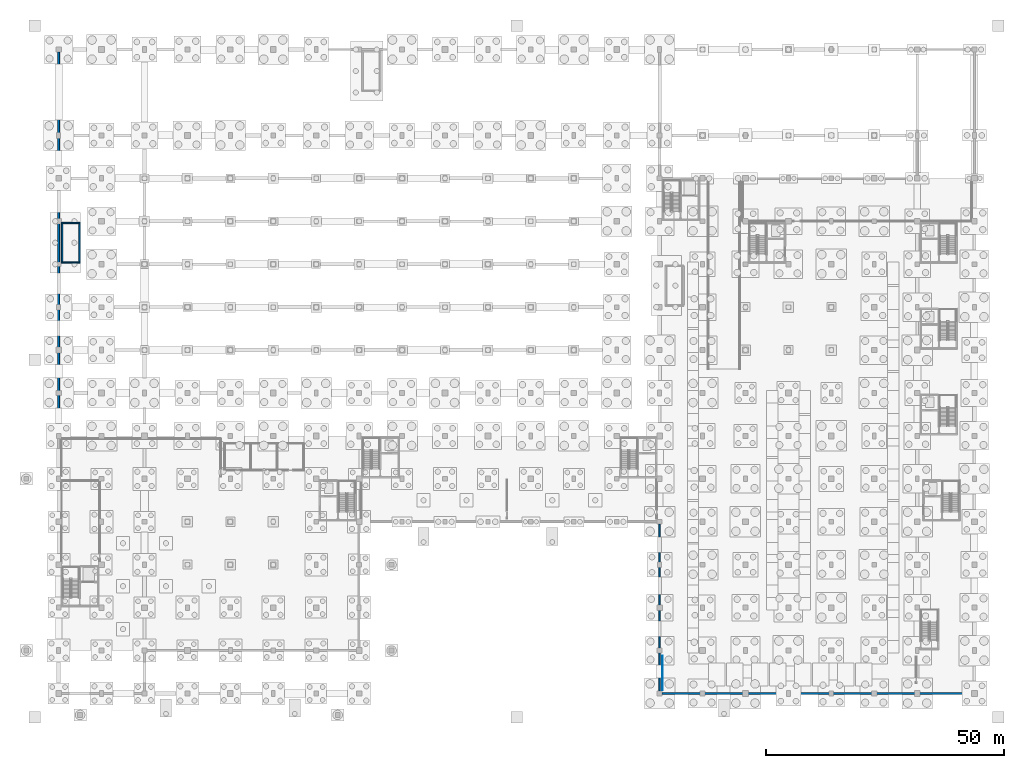
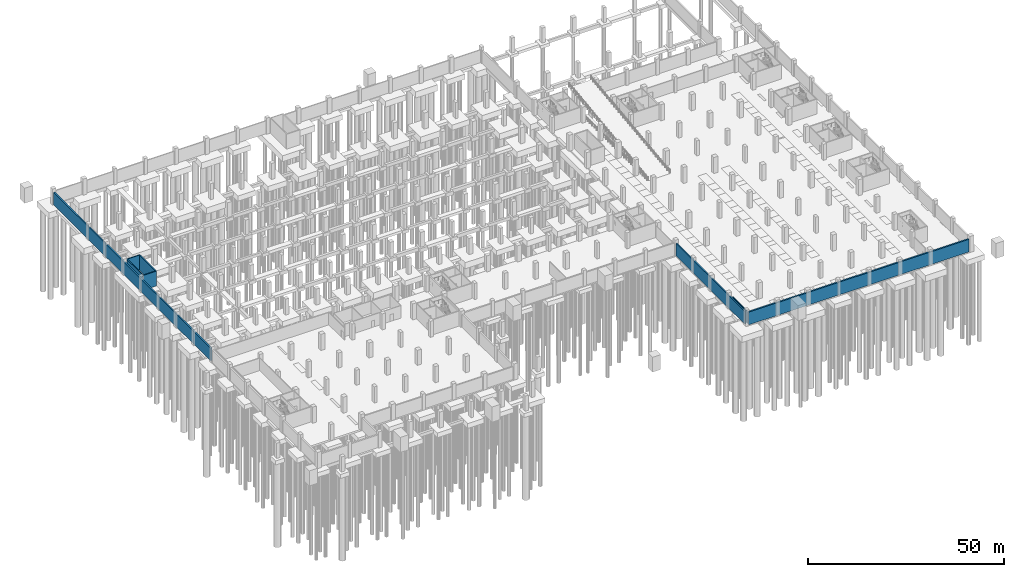
# One storey, part 18 of 37: 8 walls.
"""IFC4 building model written with IfcOpenShell, lengths in metres."""

from ifc_helpers import new_model, si_unit, direction, frame, frame_2d, origin, place, context, subcontext, project, spatial, rectangle, extrude, material, layer, layer_set, type_object, element, save


model = new_model("IFC4")

# Units and contexts
model_context = context("Model", 3, precision=1e-05, world=origin(), true_north=direction((0.0, 1.0)))
body_context = subcontext(model_context, "Body", "Model", "MODEL_VIEW")
ifc_project = project(units=[si_unit("LENGTHUNIT", "METRE"), si_unit("AREAUNIT", "SQUARE_METRE"), si_unit("VOLUMEUNIT", "CUBIC_METRE"), si_unit("PLANEANGLEUNIT", "RADIAN"), si_unit("MASSUNIT", "GRAM", prefix="KILO")], contexts=[model_context])

# Site, building, storey
site_placement = place(None, origin())
site = spatial("IfcSite", under=ifc_project, at=site_placement, CompositionType="ELEMENT")
building_placement = place(site_placement, origin())
building = spatial("IfcBuilding", under=site, at=building_placement, Name="Barlavento Convention Centre", CompositionType="ELEMENT")
storey_placement = place(building_placement, frame((0.0, 0.0, -5.0)))
storey = spatial("IfcBuildingStorey", under=building, at=storey_placement, Name="B1", CompositionType="ELEMENT", Elevation=-5.0)

# Walls
ifc_material_1 = material(Name="Concrete C40/50", Category="concrete")
ifc_layer_1 = layer(ifc_material_1, 0.199951171875)
ifc_layer_set_1 = layer_set([ifc_layer_1], Name="ARC-WL-FIRE-200")
wall_type_1 = type_object("IfcWallType", Name="ARC-WL-FIRE-200", PredefinedType="SOLIDWALL", material=ifc_layer_set_1)
wall_1_placement = place(storey_placement, frame((126.60009765625, 0.719970703125, 0.0), z_axis=(0.0, 0.0, 1.0), x_axis=(0.0, 1.0, 0.0)))
element("IfcWall", 1, at=wall_1_placement, inside=storey, type_object=wall_type_1, Name="B1 interior wall FW-01", PredefinedType="SOLIDWALL", context=body_context, shape_type="SweptSolid", body=[
    extrude(rectangle(XDim=7.159912109375, YDim=0.199951171875, at=frame_2d((3.580078125, 0.0))), origin(), (0.0, 0.0, 1.0), 3.85009765625),
])
ifc_material_2 = material(Name="Concrete C50/60", Category="concrete")
ifc_layer_2 = layer(ifc_material_2, 0.25)
ifc_layer_set_2 = layer_set([ifc_layer_2], Name="STR-WL-CORE-250")
wall_type_2 = type_object("IfcWallType", Name="STR-WL-CORE-250", PredefinedType="SHEAR", material=ifc_layer_set_2)
for number, where, z_axis, x_axis, name in (
    (2, (0.60009765625, 90.344970703125, 0.0), (0.0, 0.0, 1.0), (1.0, 0.0, 0.0), "B1 interior wall CW-02"),
    (3, (0.60009765625, 98.655029296875, 0.0), (0.0, 0.0, 1.0), (1.0, 0.0, 0.0), "B1 interior wall CW-02"),
):
    element("IfcWall", number, at=place(storey_placement, frame(where, z_axis=z_axis, x_axis=x_axis)), inside=storey, type_object=wall_type_2, Name=name, PredefinedType="SHEAR", context=body_context, shape_type="SweptSolid", body=[
        extrude(rectangle(XDim=3.93994140625, YDim=0.25, at=frame_2d((1.969970703125, 0.0))), origin(), (0.0, 0.0, 1.0), 4.6201171875),
    ])
ifc_layer_3 = layer(ifc_material_2, 0.300048828125)
ifc_layer_set_3 = layer_set([ifc_layer_3], Name="STR-WL-CORE-300")
wall_type_3 = type_object("IfcWallType", Name="STR-WL-CORE-300", PredefinedType="SHEAR", material=ifc_layer_set_3)
for number, where, z_axis, x_axis, name in (
    (4, (0.72509765625, 90.469970703125, 0.0), (0.0, 0.0, 1.0), (0.0, 1.0, 0.0), "B1 interior wall CW-01"),
    (5, (4.4150390625, 90.469970703125, 0.0), (0.0, 0.0, 1.0), (0.0, 1.0, 0.0), "B1 interior wall CW-01"),
):
    element("IfcWall", number, at=place(storey_placement, frame(where, z_axis=z_axis, x_axis=x_axis)), inside=storey, type_object=wall_type_3, Name=name, PredefinedType="SHEAR", context=body_context, shape_type="SweptSolid", body=[
        extrude(rectangle(XDim=8.06005859375, YDim=0.300048828125, at=frame_2d((4.030029296875, 0.0))), origin(), (0.0, 0.0, 1.0), 4.6201171875),
    ])
ifc_layer_4 = layer(ifc_material_1, 0.449951171875)
ifc_layer_set_4 = layer_set([ifc_layer_4], Name="STR-WL-RET-450")
wall_type_4 = type_object("IfcWallType", Name="STR-WL-RET-450", PredefinedType="SHEAR", material=ifc_layer_set_4)
wall_2_placement = place(storey_placement, frame((126.4951171875, 0.0, 0.0), z_axis=(0.0, 0.0, 1.0), x_axis=(1.0, 0.0, 0.0)))
element("IfcWall", 6, at=wall_2_placement, inside=storey, type_object=wall_type_4, Name="B1 exterior wall RW01", PredefinedType="SHEAR", context=body_context, shape_type="SweptSolid", body=[
    extrude(rectangle(XDim=64.909912109375, YDim=0.449951171875, at=frame_2d((32.455078125, 0.0))), origin(), (0.0, 0.0, 1.0), 3.949951171875),
])
ifc_layer_5 = layer(ifc_material_1, 0.35009765625)
ifc_layer_set_5 = layer_set([ifc_layer_5], Name="STR-WL-SHR-350")
wall_type_5 = type_object("IfcWallType", Name="STR-WL-SHR-350", PredefinedType="SHEAR", material=ifc_layer_set_5)
wall_3_placement = place(storey_placement, frame((126.0, 0.4951171875, 0.0), z_axis=(0.0, 0.0, 1.0), x_axis=(0.0, 1.0, 0.0)))
element("IfcWall", 7, at=wall_3_placement, inside=storey, type_object=wall_type_5, Name="B1 exterior wall SW02", PredefinedType="SHEAR", context=body_context, shape_type="SweptSolid", body=[
    extrude(rectangle(XDim=35.009765625, YDim=0.35009765625, at=frame_2d((17.5048828125, 0.0))), origin(), (0.0, 0.0, 1.0), 3.949951171875),
])
ifc_layer_6 = layer(ifc_material_1, 0.39990234375)
ifc_layer_set_6 = layer_set([ifc_layer_6], Name="STR-WL-SHR-400")
wall_type_6 = type_object("IfcWallType", Name="STR-WL-SHR-400", PredefinedType="SHEAR", material=ifc_layer_set_6)
wall_4_placement = place(storey_placement, frame((0.0, 54.4951171875, 0.0), z_axis=(0.0, 0.0, 1.0), x_axis=(0.0, 1.0, 0.0)))
element("IfcWall", 8, at=wall_4_placement, inside=storey, type_object=wall_type_6, Name="B1 exterior wall SW01", PredefinedType="SHEAR", context=body_context, shape_type="SweptSolid", body=[
    extrude(rectangle(XDim=79.9599609375, YDim=0.39990234375, at=frame_2d((39.97998046875, 0.0))), origin(), (0.0, 0.0, 1.0), 3.949951171875),
])

save(model, "model.ifc")
